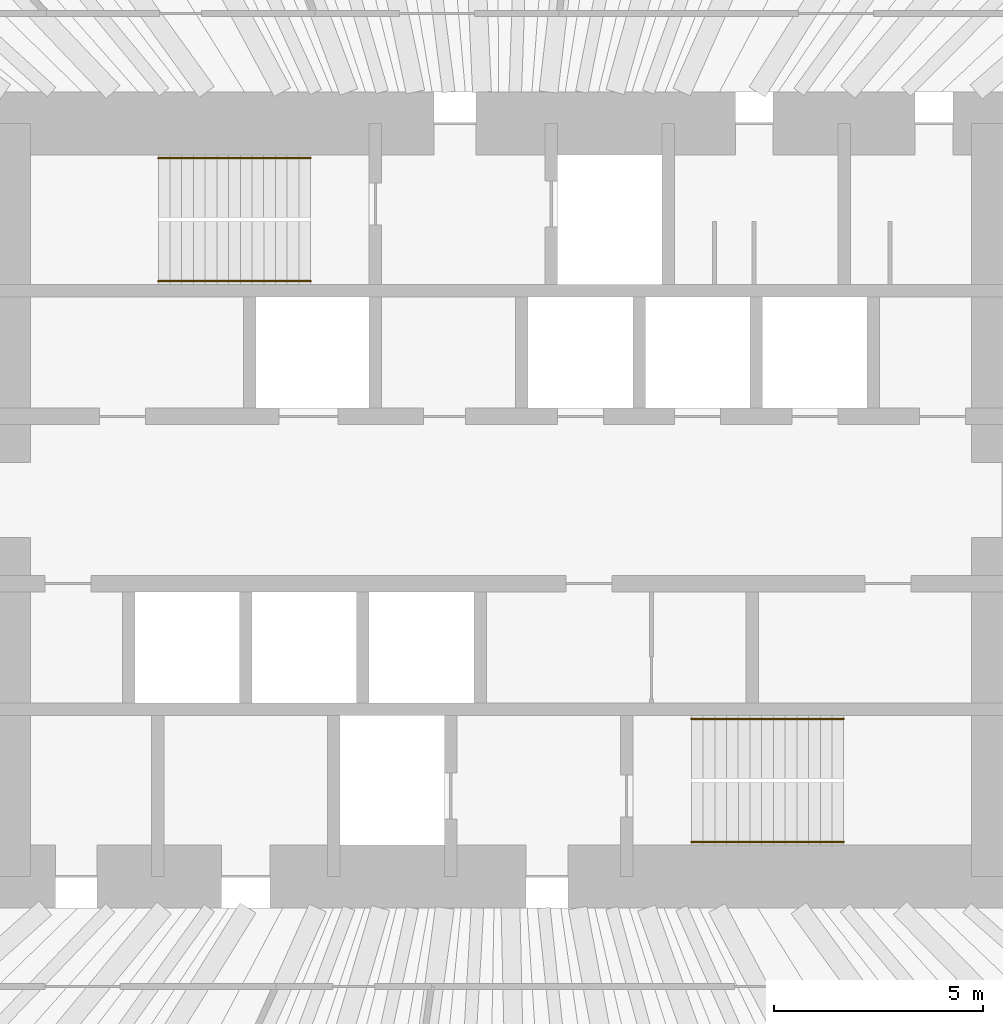
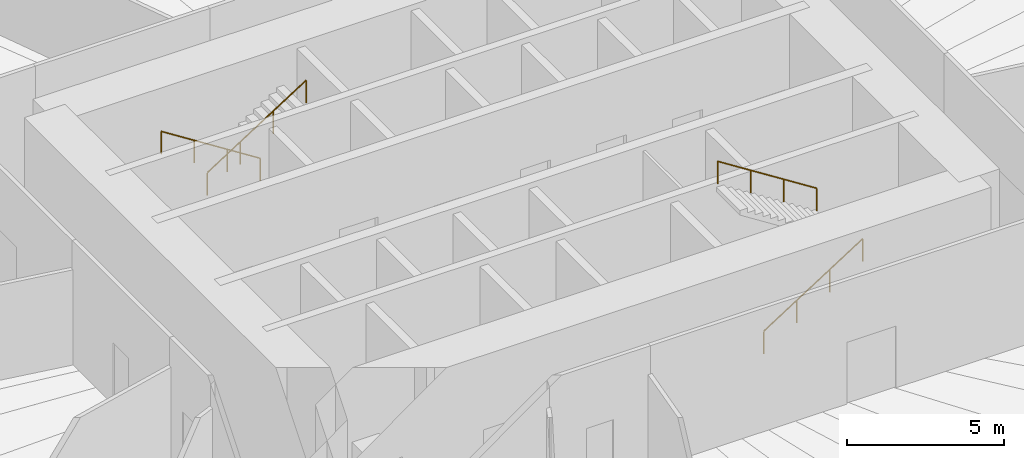
# One storey, part 13 of 13: 4 railings.
"""IFC4 building model written with IfcOpenShell, lengths in metres."""

from ifc_helpers import new_model, si_unit, direction, frame, origin, origin_2d, place, context, subcontext, project, spatial, circle, extrude, material, type_object, element, save


model = new_model("IFC4")

# Units and contexts
model_context = context("Model", 3, precision=1e-05, world=origin(), true_north=direction((0.0, 1.0)))
body_context = subcontext(model_context, "Body", "Model", "MODEL_VIEW")
ifc_project = project(units=[si_unit("LENGTHUNIT", "METRE"), si_unit("AREAUNIT", "SQUARE_METRE"), si_unit("VOLUMEUNIT", "CUBIC_METRE"), si_unit("PLANEANGLEUNIT", "RADIAN"), si_unit("MASSUNIT", "GRAM", prefix="KILO")], contexts=[model_context])

# Site, building, storey
site_placement = place(None, origin())
site = spatial("IfcSite", under=ifc_project, at=site_placement, CompositionType="ELEMENT")
building_placement = place(site_placement, origin())
building = spatial("IfcBuilding", under=site, at=building_placement, Name="Qingtian Harvest Tower", CompositionType="ELEMENT")
storey_placement = place(building_placement, frame((0.0, 0.0, 42.0)))
storey = spatial("IfcBuildingStorey", under=building, at=storey_placement, Name="L08", CompositionType="ELEMENT", Elevation=42.0)

# Railings
ifc_material = material(Name="Stainless steel handrail", Category="steel")
railing_type = type_object("IfcRailingType", Name="Handrail HR1", PredefinedType="HANDRAIL", material=ifc_material)
railing_1_placement = place(storey_placement, frame((-4.550048828125, 8.169921875, 0.178466796875)))
element("IfcRailing", 1, at=railing_1_placement, inside=storey, type_object=railing_type, Name="Handrail HR1 S1 flight 1", PredefinedType="HANDRAIL", context=body_context, shape_type="SweptSolid", body=[
    extrude(circle(Radius=0.02392578125, at=origin_2d()), frame((0.0, 0.0, 0.8759765625), z_axis=(-0.843111507901, 0.0, 0.53773877045), x_axis=(0.0, -1.0, 0.0)), (0.0, 0.0, 1.0), 4.317138671875),
    extrude(circle(Radius=0.02099609375, at=origin_2d()), origin(), (0.0, 0.0, 1.0), 0.851806640625),
    extrude(circle(Radius=0.02099609375, at=origin_2d()), frame((-1.21337890625, 0.0, 0.77392578125)), (0.0, 0.0, 1.0), 0.851806640625),
    extrude(circle(Radius=0.02099609375, at=origin_2d()), frame((-2.426513671875, 0.0, 1.547607421875)), (0.0, 0.0, 1.0), 0.851806640625),
    extrude(circle(Radius=0.02099609375, at=origin_2d()), frame((-3.639892578125, 0.0, 2.321533203125)), (0.0, 0.0, 1.0), 0.851806640625),
])
for number, where, name in (
    (2, (-8.18994140625, 5.22998046875, 2.678466796875), "Handrail HR1 S1 flight 2"),
    (3, (4.550048828125, -8.169921875, 0.178466796875), "Handrail HR1 S2 flight 1"),
):
    element("IfcRailing", number, at=place(storey_placement, frame(where)), inside=storey, type_object=railing_type, Name=name, PredefinedType="HANDRAIL", context=body_context, shape_type="SweptSolid", body=[
        extrude(circle(Radius=0.02392578125, at=origin_2d()), frame((0.0, 0.0, 0.8759765625), z_axis=(0.843111507901, 0.0, 0.53773877045), x_axis=(0.0, 1.0, 0.0)), (0.0, 0.0, 1.0), 4.317138671875),
        extrude(circle(Radius=0.02099609375, at=origin_2d()), origin(), (0.0, 0.0, 1.0), 0.851806640625),
        extrude(circle(Radius=0.02099609375, at=origin_2d()), frame((1.21337890625, 0.0, 0.77392578125)), (0.0, 0.0, 1.0), 0.851806640625),
        extrude(circle(Radius=0.02099609375, at=origin_2d()), frame((2.426513671875, 0.0, 1.547607421875)), (0.0, 0.0, 1.0), 0.851806640625),
        extrude(circle(Radius=0.02099609375, at=origin_2d()), frame((3.639892578125, 0.0, 2.321533203125)), (0.0, 0.0, 1.0), 0.851806640625),
    ])
railing_2_placement = place(storey_placement, frame((8.18994140625, -5.22998046875, 2.678466796875)))
element("IfcRailing", 4, at=railing_2_placement, inside=storey, type_object=railing_type, Name="Handrail HR1 S2 flight 2", PredefinedType="HANDRAIL", context=body_context, shape_type="SweptSolid", body=[
    extrude(circle(Radius=0.02392578125, at=origin_2d()), frame((0.0, 0.0, 0.8759765625), z_axis=(-0.843111507901, 0.0, 0.53773877045), x_axis=(0.0, -1.0, 0.0)), (0.0, 0.0, 1.0), 4.317138671875),
    extrude(circle(Radius=0.02099609375, at=origin_2d()), origin(), (0.0, 0.0, 1.0), 0.851806640625),
    extrude(circle(Radius=0.02099609375, at=origin_2d()), frame((-1.21337890625, 0.0, 0.77392578125)), (0.0, 0.0, 1.0), 0.851806640625),
    extrude(circle(Radius=0.02099609375, at=origin_2d()), frame((-2.426513671875, 0.0, 1.547607421875)), (0.0, 0.0, 1.0), 0.851806640625),
    extrude(circle(Radius=0.02099609375, at=origin_2d()), frame((-3.639892578125, 0.0, 2.321533203125)), (0.0, 0.0, 1.0), 0.851806640625),
])

save(model, "model.ifc")
